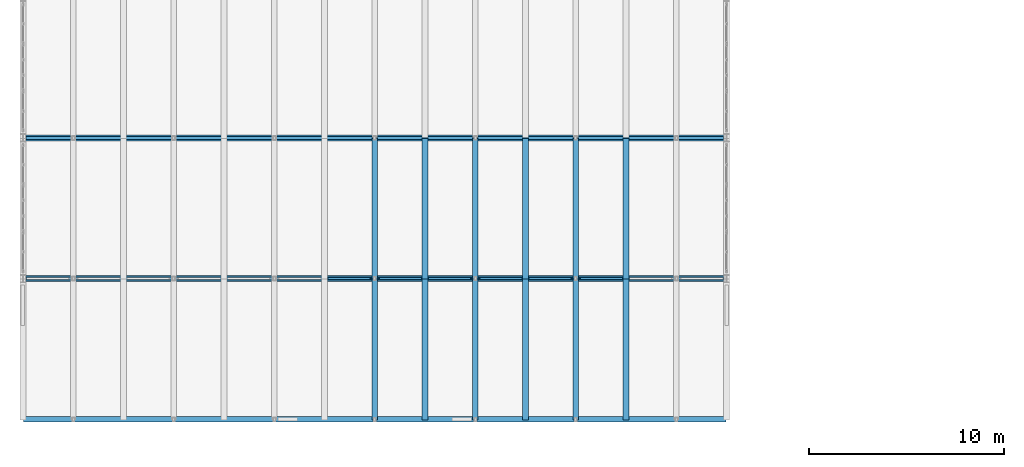
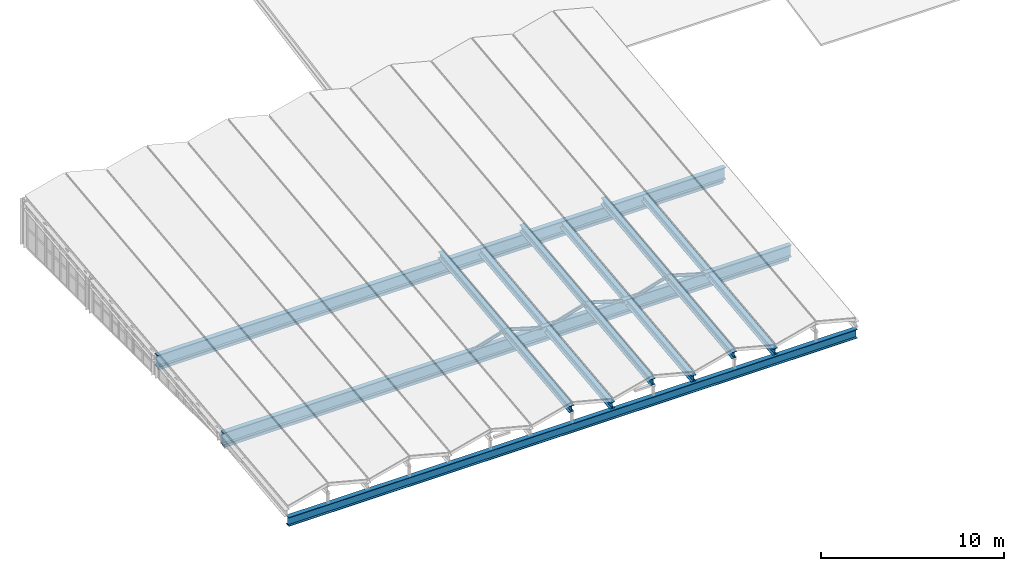
# One storey, part 3 of 39: 15 beams, 8 members.
"""IFC4 building model written with IfcOpenShell, lengths in metres."""

import ifcopenshell
import ifcopenshell.guid

model = None  # the IFC model being written
_history = None  # IfcOwnerHistory: only IFC2X3 demands one
_inside = {}  # id of a spatial element -> (the spatial element, [elements in it])
_under = {}  # id of a project, library or spatial element -> (it, [spatial elements below it])
_declared = {}  # id of a project -> (the project, [libraries it declares])
_typed = {}  # id of a type object -> (the type object, [elements of that type])
_made_of = {}  # id of a material, layer set ... -> (it, [elements and type objects made of it])


def new_model(schema):
    """Start an empty IFC model of exactly this schema.

    Asked for "IFC4X3", IfcOpenShell would pick the latest addendum, in which some entities
    have other attributes; the version numbers below select the first issue.
    IFC2X3 requires an IfcOwnerHistory on every rooted entity: one is made here for all.
    """
    global model, _history
    if schema == "IFC4X3":
        model = ifcopenshell.file(schema_version=(4, 3, 0, 0))
    else:
        model = ifcopenshell.file(schema=schema)
    _inside.clear()
    _under.clear()
    _declared.clear()
    _typed.clear()
    _made_of.clear()
    _history = None
    if model.schema == "IFC2X3":
        org = make("IfcOrganization", Name="unknown")
        user = make(
            "IfcPersonAndOrganization",
            ThePerson=make("IfcPerson", FamilyName="unknown"),
            TheOrganization=org,
        )
        app = make(
            "IfcApplication",
            ApplicationDeveloper=org,
            Version="unknown",
            ApplicationFullName="unknown",
            ApplicationIdentifier="unknown",
        )
        _history = make(
            "IfcOwnerHistory",
            OwningUser=user,
            OwningApplication=app,
            ChangeAction="ADDED",
            CreationDate=0,
        )
    return model


def make(cls, **values):
    """One entity of the class cls with the attributes given. An attribute that is None is left unset."""
    return model.create_entity(
        cls, **{name: value for name, value in values.items() if value is not None}
    )


def rooted(cls, **values):
    """An entity with a GlobalId (a new one), such as an element, a storey or a relation."""
    return make(cls, GlobalId=ifcopenshell.guid.new(), OwnerHistory=_history, **values)


def si_unit(unit_type, name, prefix=None):
    """IfcSIUnit, for example si_unit("LENGTHUNIT", "METRE", prefix="MILLI")."""
    return make("IfcSIUnit", UnitType=unit_type, Prefix=prefix, Name=name)


def assignment(units):
    """IfcUnitAssignment: the units of a project."""
    return None if units is None else make("IfcUnitAssignment", Units=units)


def point(xyz):
    """IfcCartesianPoint."""
    return None if xyz is None else make("IfcCartesianPoint", Coordinates=xyz)


def direction(xyz):
    """IfcDirection."""
    return None if xyz is None else make("IfcDirection", DirectionRatios=xyz)


def frame(location, z_axis=None, x_axis=None):
    """IfcAxis2Placement3D, a coordinate frame: its origin and axes. An axis left out is left unset."""
    return make(
        "IfcAxis2Placement3D",
        Location=point(location),
        Axis=direction(z_axis),
        RefDirection=direction(x_axis),
    )


def frame_2d(location, x_axis=None):
    """IfcAxis2Placement2D, a coordinate frame in the plane: its origin and x axis."""
    return make(
        "IfcAxis2Placement2D", Location=point(location), RefDirection=direction(x_axis)
    )


def origin():
    """The frame at (0, 0, 0) with its axes left unset."""
    return frame((0.0, 0.0, 0.0))


def origin_2d():
    """The frame at (0, 0) in the plane with its x axis left unset."""
    return frame_2d((0.0, 0.0))


def place(relative_to, where):
    """IfcLocalPlacement: puts the frame where relative to a parent placement (None: the world)."""
    return make(
        "IfcLocalPlacement", PlacementRelTo=relative_to, RelativePlacement=where
    )


def context(
    kind, dimensions, precision=None, world=None, true_north=None, identifier=None
):
    """IfcGeometricRepresentationContext, for example the 3D "Model" context."""
    return make(
        "IfcGeometricRepresentationContext",
        ContextIdentifier=identifier,
        ContextType=kind,
        CoordinateSpaceDimension=dimensions,
        Precision=precision,
        WorldCoordinateSystem=world,
        TrueNorth=true_north,
    )


def subcontext(parent, identifier, kind, view, scale=None):
    """IfcGeometricRepresentationSubContext, for example "Body" below "Model"."""
    return make(
        "IfcGeometricRepresentationSubContext",
        ContextIdentifier=identifier,
        ContextType=kind,
        ParentContext=parent,
        TargetScale=scale,
        TargetView=view,
    )


def project(units=None, contexts=None):
    """IfcProject with its units and contexts."""
    return rooted(
        "IfcProject",
        Name="project",
        RepresentationContexts=contexts,
        UnitsInContext=assignment(units),
    )


def spatial(cls, under=None, at=None, **own):
    """A site, building, storey or space (cls), placed at a placement, below another one or the project."""
    s = rooted(cls, ObjectPlacement=at, **own)
    if under is not None:
        _under.setdefault(under.id(), (under, []))[1].append(s)
    return s


def profile(cls, at=None, kind="AREA", **sizes):
    """A parametric profile (cls). Its sizes go by their IFC names, for example OverallWidth=200.0."""
    return make(cls, ProfileType=kind, Position=at, **sizes)


def hollow_rectangle(**sizes):
    """IfcRectangleHollowProfileDef."""
    return profile("IfcRectangleHollowProfileDef", **sizes)


def i_section(**sizes):
    """IfcIShapeProfileDef."""
    return profile("IfcIShapeProfileDef", **sizes)


def extrude(swept, where, along, depth):
    """IfcExtrudedAreaSolid: the profile swept, set in the frame where, extruded along a direction by depth."""
    return make(
        "IfcExtrudedAreaSolid",
        SweptArea=swept,
        Position=where,
        ExtrudedDirection=direction(along),
        Depth=depth,
    )


def shape(context_of_items, identifier, shape_type, items):
    """IfcShapeRepresentation: the items that make up one representation, for example the "Body"."""
    return make(
        "IfcShapeRepresentation",
        ContextOfItems=context_of_items,
        RepresentationIdentifier=identifier,
        RepresentationType=shape_type,
        Items=items,
    )


def material(Name=None, Category=None):
    """IfcMaterial."""
    return make("IfcMaterial", Name=Name, Category=Category)


def material_profile(
    of_material, cross_section, Name=None, Category=None, Priority=None
):
    """IfcMaterialProfile: a cross section and its material."""
    return make(
        "IfcMaterialProfile",
        Name=Name,
        Material=of_material,
        Profile=cross_section,
        Priority=Priority,
        Category=Category,
    )


def profile_set(profiles, Name=None, composite=None):
    """IfcMaterialProfileSet."""
    return make(
        "IfcMaterialProfileSet",
        Name=Name,
        MaterialProfiles=profiles,
        CompositeProfile=composite,
    )


def made_of(thing, what):
    """Note that an element or type object is made of a material, layer set ...; save() writes the relation."""
    if what is not None:
        _made_of.setdefault(what.id(), (what, []))[1].append(thing)
    return thing


def type_object(cls, material=None, **own):
    """A type object (cls), such as IfcWallType, which elements share."""
    return made_of(rooted(cls, **own), material)


def element(
    cls,
    number,
    at=None,
    inside=None,
    cuts=None,
    type_object=None,
    material=None,
    context=None,
    identifier="Body",
    shape_type=None,
    held_by="IfcProductDefinitionShape",
    body=None,
    shapes=None,
    **own,
):
    """One element of the class cls, such as IfcWall. Its Tag is "e" and its number.

    at: its placement. inside: the storey or other place that contains it. cuts: it is an
    opening in that element (IfcRelVoidsElement). A single representation is given by context,
    identifier, shape_type and body (its items); several are given by shapes. held_by: the class
    of the entity that holds the representations. save() writes the other relations.
    """
    e = rooted(cls, Tag="e%d" % number, ObjectPlacement=at, **own)
    if body is not None:
        shapes = [shape(context, identifier, shape_type, body)]
    if shapes is not None:
        e.Representation = make(held_by, Representations=shapes)
    if inside is not None:
        _inside.setdefault(inside.id(), (inside, []))[1].append(e)
    if cuts is not None:
        rooted(
            "IfcRelVoidsElement", RelatingBuildingElement=cuts, RelatedOpeningElement=e
        )
    if type_object is not None:
        _typed.setdefault(type_object.id(), (type_object, []))[1].append(e)
    return made_of(e, material)


def aggregate(whole, parts):
    """IfcRelAggregates: a whole, such as a stair, and the parts it consists of."""
    return rooted("IfcRelAggregates", RelatingObject=whole, RelatedObjects=parts)


def save(model, path):
    """Write the relations noted so far, then the file.

    IfcRelAggregates (storeys below a building ...), IfcRelContainedInSpatialStructure (elements
    in a storey), IfcRelDefinesByType, IfcRelAssociatesMaterial and IfcRelDeclares: one each for
    every whole, place, type object, material and project.
    """
    for whole, parts in _under.values():
        aggregate(whole, parts)
    for where, things in _inside.values():
        rooted(
            "IfcRelContainedInSpatialStructure",
            RelatedElements=things,
            RelatingStructure=where,
        )
    for kind, things in _typed.values():
        rooted("IfcRelDefinesByType", RelatedObjects=things, RelatingType=kind)
    for what, things in _made_of.values():
        rooted("IfcRelAssociatesMaterial", RelatedObjects=things, RelatingMaterial=what)
    for by, libraries in _declared.values():
        rooted("IfcRelDeclares", RelatingContext=by, RelatedDefinitions=libraries)
    model.write(path)


model = new_model("IFC4")

# Units and contexts
model_context = context("Model", 3, precision=1e-05, world=origin(), true_north=direction((0.0, 1.0)))
body_context = subcontext(model_context, "Body", "Model", "MODEL_VIEW")
ifc_project = project(units=[si_unit("LENGTHUNIT", "METRE"), si_unit("AREAUNIT", "SQUARE_METRE"), si_unit("VOLUMEUNIT", "CUBIC_METRE"), si_unit("PLANEANGLEUNIT", "RADIAN"), si_unit("MASSUNIT", "GRAM", prefix="KILO"), si_unit("THERMODYNAMICTEMPERATUREUNIT", "KELVIN"), si_unit("POWERUNIT", "WATT")], contexts=[model_context])

# Site, building, storey
site_placement = place(None, origin())
site = spatial("IfcSite", under=ifc_project, at=site_placement, CompositionType="ELEMENT")
building_placement = place(site_placement, origin())
building = spatial("IfcBuilding", under=site, at=building_placement, Name="Kaldorven Railside Theatre", CompositionType="ELEMENT")
storey_placement = place(building_placement, frame((0.0, 0.0, 27.300048828125)))
storey = spatial("IfcBuildingStorey", under=building, at=storey_placement, Name="ROOF", CompositionType="ELEMENT", Elevation=27.300048828125)

# Beams
ifc_material = material(Name="Steel S355", Category="steel")
ifc_material_profile_1 = material_profile(ifc_material, i_section(OverallWidth=0.300048828125, OverallDepth=0.449951171875, WebThickness=0.013916015625, FlangeThickness=0.02587890625, at=origin_2d()), Name="HEB 450")
ifc_profile_set_1 = profile_set([ifc_material_profile_1], Name="Steel S355")
beam_type_1 = type_object("IfcBeamType", Name="BM-HEB450", PredefinedType="BEAM", material=ifc_profile_set_1)
for number, where, z_axis, x_axis, name in (
    (1, (105.199951171875, 84.0, 0.22998046875), (0.0, 0.993575928723, 0.11316745938), (-1.0, 0.0, 0.0), "V2 Folded-Plate Ridge Girder RB-127"),
    (2, (105.199951171875, 91.199951171875, 1.050048828125), (0.0, 0.993575928723, 0.11316745938), (-1.0, 0.0, 0.0), "V2 Folded-Plate Ridge Girder RB-128"),
    (3, (107.771484375, 84.0, -0.43505859375), (0.0, 0.993575928723, 0.11316745938), (-1.0, 0.0, 0.0), "V2 Folded-Plate Valley Girder VB-131"),
    (4, (107.771484375, 91.199951171875, 0.385009765625), (0.0, 0.993575928723, 0.11316745938), (-1.0, 0.0, 0.0), "V2 Folded-Plate Valley Girder VB-132"),
    (5, (110.3427734375, 84.0, 0.22998046875), (0.0, 0.993575928723, 0.11316745938), (-1.0, 0.0, 0.0), "V2 Folded-Plate Ridge Girder RB-135"),
    (6, (110.3427734375, 91.199951171875, 1.050048828125), (0.0, 0.993575928723, 0.11316745938), (-1.0, 0.0, 0.0), "V2 Folded-Plate Ridge Girder RB-136"),
    (7, (112.914306640625, 84.0, -0.43505859375), (0.0, 0.993575928723, 0.11316745938), (-1.0, 0.0, 0.0), "V2 Folded-Plate Valley Girder VB-139"),
    (8, (112.914306640625, 91.199951171875, 0.385009765625), (0.0, 0.993575928723, 0.11316745938), (-1.0, 0.0, 0.0), "V2 Folded-Plate Valley Girder VB-140"),
    (9, (115.485595703125, 84.0, 0.22998046875), (0.0, 0.993575928723, 0.11316745938), (-1.0, 0.0, 0.0), "V2 Folded-Plate Ridge Girder RB-143"),
    (10, (115.485595703125, 91.199951171875, 1.050048828125), (0.0, 0.993575928723, 0.11316745938), (-1.0, 0.0, 0.0), "V2 Folded-Plate Ridge Girder RB-144"),
    (11, (118.05712890625, 84.0, -0.43505859375), (0.0, 0.993575928723, 0.11316745938), (-1.0, 0.0, 0.0), "V2 Folded-Plate Valley Girder VB-147"),
    (12, (118.05712890625, 91.199951171875, 0.385009765625), (0.0, 0.993575928723, 0.11316745938), (-1.0, 0.0, 0.0), "V2 Folded-Plate Valley Girder VB-148"),
):
    element("IfcBeam", number, at=place(storey_placement, frame(where, z_axis=z_axis, x_axis=x_axis)), inside=storey, type_object=beam_type_1, Name=name, PredefinedType="BEAM", context=body_context, shape_type="SweptSolid", body=[
        extrude(i_section(OverallWidth=0.300048828125, OverallDepth=0.449951171875, WebThickness=0.013916015625, FlangeThickness=0.02587890625, at=origin_2d()), origin(), (0.0, 0.0, 1.0), 7.24658203125),
    ])
ifc_material_profile_2 = material_profile(ifc_material, i_section(OverallWidth=0.300048828125, OverallDepth=0.60009765625, WebThickness=0.015380859375, FlangeThickness=0.030029296875, at=origin_2d()), Name="HEB 600")
ifc_profile_set_2 = profile_set([ifc_material_profile_2], Name="Steel S355")
beam_type_2 = type_object("IfcBeamType", Name="BM-HEB600", PredefinedType="BEAM", material=ifc_profile_set_2)
beam_placement = place(storey_placement, frame((87.219970703125, 84.0, -0.945556640625), z_axis=(1.0, 0.0, 0.0), x_axis=(0.0, 1.0, 0.0)))
element("IfcBeam", 13, at=beam_placement, inside=storey, type_object=beam_type_2, Name="V2 S Gable Ring Girder", PredefinedType="BEAM", context=body_context, shape_type="SweptSolid", body=[
    extrude(i_section(OverallWidth=0.300048828125, OverallDepth=0.60009765625, WebThickness=0.015380859375, FlangeThickness=0.030029296875, at=origin_2d()), origin(), (0.0, 0.0, 1.0), 35.9599609375),
])
ifc_material_profile_3 = material_profile(ifc_material, i_section(OverallWidth=0.300048828125, OverallDepth=0.800048828125, WebThickness=0.017578125, FlangeThickness=0.032958984375, at=origin_2d()), Name="HEB 800")
ifc_profile_set_3 = profile_set([ifc_material_profile_3], Name="Steel S355")
beam_type_3 = type_object("IfcBeamType", Name="BM-HEB800", PredefinedType="USERDEFINED", material=ifc_profile_set_3)
for number, where, z_axis, x_axis, name in (
    (14, (87.219970703125, 91.199951171875, 0.224365234375), (1.0, 0.0, 0.0), (0.0, 1.0, 0.0), "V2 Folded-Plate Transverse Truss Girder RTG-096"),
    (15, (87.219970703125, 98.39990234375, 1.04443359375), (1.0, 0.0, 0.0), (0.0, 1.0, 0.0), "V2 Folded-Plate Transverse Truss Girder RTG-097"),
):
    element("IfcBeam", number, at=place(storey_placement, frame(where, z_axis=z_axis, x_axis=x_axis)), inside=storey, type_object=beam_type_3, Name=name, ObjectType="ROOF TRUSS", PredefinedType="USERDEFINED", context=body_context, shape_type="SweptSolid", body=[
        extrude(i_section(OverallWidth=0.300048828125, OverallDepth=0.800048828125, WebThickness=0.017578125, FlangeThickness=0.032958984375, at=origin_2d()), origin(), (0.0, 0.0, 1.0), 35.9599609375),
    ])

# Members
ifc_material_profile_4 = material_profile(ifc_material, i_section(OverallWidth=0.10009765625, OverallDepth=0.199951171875, WebThickness=0.005615234375, FlangeThickness=0.008544921875, at=origin_2d()), Name="IPE 200")
ifc_profile_set_4 = profile_set([ifc_material_profile_4], Name="Steel S355")
member_type_1 = type_object("IfcMemberType", Name="MEM-IPE200", PredefinedType="PURLIN", material=ifc_profile_set_4)
member_1_placement = place(storey_placement, frame((102.836669921875, 91.199951171875, 0.4794921875), z_axis=(0.958611678215, 0.0, 0.284716789792), x_axis=(0.0, 1.0, 0.0)))
element("IfcMember", 16, at=member_1_placement, inside=storey, type_object=member_type_1, Name="V2 Folded-Roof Transverse Purlin PRL-041", PredefinedType="PURLIN", context=body_context, shape_type="SweptSolid", body=[
    extrude(i_section(OverallWidth=0.10009765625, OverallDepth=0.199951171875, WebThickness=0.005615234375, FlangeThickness=0.008544921875, at=origin_2d()), origin(), (0.0, 0.0, 1.0), 2.248291015625),
])
member_2_placement = place(storey_placement, frame((105.407958984375, 91.199951171875, 1.11962890625), z_axis=(0.958620479351, 0.0, -0.284687155608), x_axis=(0.0, 1.0, 0.0)))
element("IfcMember", 17, at=member_2_placement, inside=storey, type_object=member_type_1, Name="V2 Folded-Roof Transverse Purlin PRL-043", PredefinedType="PURLIN", context=body_context, shape_type="SweptSolid", body=[
    extrude(i_section(OverallWidth=0.10009765625, OverallDepth=0.199951171875, WebThickness=0.005615234375, FlangeThickness=0.008544921875, at=origin_2d()), origin(), (0.0, 0.0, 1.0), 2.24853515625),
])
member_3_placement = place(storey_placement, frame((107.9794921875, 91.199951171875, 0.4794921875), z_axis=(0.958611678215, 0.0, 0.284716789792), x_axis=(0.0, 1.0, 0.0)))
element("IfcMember", 18, at=member_3_placement, inside=storey, type_object=member_type_1, Name="V2 Folded-Roof Transverse Purlin PRL-045", PredefinedType="PURLIN", context=body_context, shape_type="SweptSolid", body=[
    extrude(i_section(OverallWidth=0.10009765625, OverallDepth=0.199951171875, WebThickness=0.005615234375, FlangeThickness=0.008544921875, at=origin_2d()), origin(), (0.0, 0.0, 1.0), 2.248291015625),
])
member_4_placement = place(storey_placement, frame((110.55078125, 91.199951171875, 1.11962890625), z_axis=(0.958620479351, 0.0, -0.284687155608), x_axis=(0.0, 1.0, 0.0)))
element("IfcMember", 19, at=member_4_placement, inside=storey, type_object=member_type_1, Name="V2 Folded-Roof Transverse Purlin PRL-047", PredefinedType="PURLIN", context=body_context, shape_type="SweptSolid", body=[
    extrude(i_section(OverallWidth=0.10009765625, OverallDepth=0.199951171875, WebThickness=0.005615234375, FlangeThickness=0.008544921875, at=origin_2d()), origin(), (0.0, 0.0, 1.0), 2.24853515625),
])
member_5_placement = place(storey_placement, frame((113.122314453125, 91.199951171875, 0.4794921875), z_axis=(0.958611678215, 0.0, 0.284716789792), x_axis=(0.0, 1.0, 0.0)))
element("IfcMember", 20, at=member_5_placement, inside=storey, type_object=member_type_1, Name="V2 Folded-Roof Transverse Purlin PRL-049", PredefinedType="PURLIN", context=body_context, shape_type="SweptSolid", body=[
    extrude(i_section(OverallWidth=0.10009765625, OverallDepth=0.199951171875, WebThickness=0.005615234375, FlangeThickness=0.008544921875, at=origin_2d()), origin(), (0.0, 0.0, 1.0), 2.248291015625),
])
member_6_placement = place(storey_placement, frame((115.693603515625, 91.199951171875, 1.11962890625), z_axis=(0.958620479351, 0.0, -0.284687155608), x_axis=(0.0, 1.0, 0.0)))
element("IfcMember", 21, at=member_6_placement, inside=storey, type_object=member_type_1, Name="V2 Folded-Roof Transverse Purlin PRL-051", PredefinedType="PURLIN", context=body_context, shape_type="SweptSolid", body=[
    extrude(i_section(OverallWidth=0.10009765625, OverallDepth=0.199951171875, WebThickness=0.005615234375, FlangeThickness=0.008544921875, at=origin_2d()), origin(), (0.0, 0.0, 1.0), 2.24853515625),
])
ifc_material_profile_5 = material_profile(ifc_material, hollow_rectangle(XDim=0.14990234375, YDim=0.25, WallThickness=0.010009765625, at=origin_2d()), Name="RHS 250x150x10")
ifc_profile_set_5 = profile_set([ifc_material_profile_5], Name="Steel S355")
member_type_2 = type_object("IfcMemberType", Name="MEM-RHS250", PredefinedType="CHORD", material=ifc_profile_set_5)
for number, where, z_axis, x_axis, name in (
    (22, (87.35009765625, 91.199951171875, -0.300537109375), (1.0, 0.0, 0.0), (0.0, 1.0, 0.0), "V2 Roof Truss Tie Chord CHD-041"),
    (23, (87.35009765625, 98.39990234375, 0.51953125), (1.0, 0.0, 0.0), (0.0, 1.0, 0.0), "V2 Roof Truss Tie Chord CHD-042"),
):
    element("IfcMember", number, at=place(storey_placement, frame(where, z_axis=z_axis, x_axis=x_axis)), inside=storey, type_object=member_type_2, Name=name, PredefinedType="CHORD", context=body_context, shape_type="SweptSolid", body=[
        extrude(hollow_rectangle(XDim=0.14990234375, YDim=0.25, WallThickness=0.010009765625, at=origin_2d()), origin(), (0.0, 0.0, 1.0), 35.699951171875),
    ])

save(model, "model.ifc")
